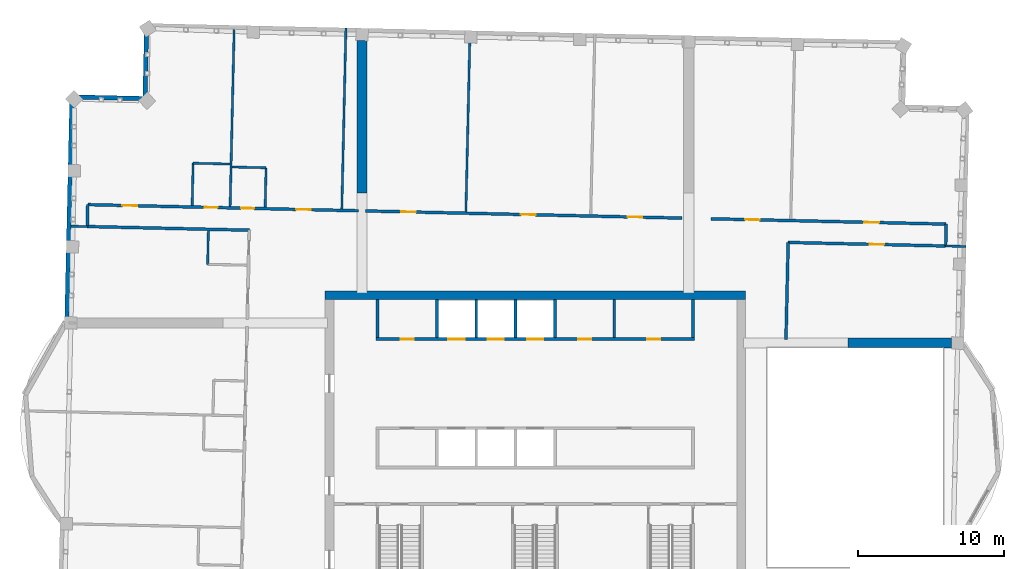
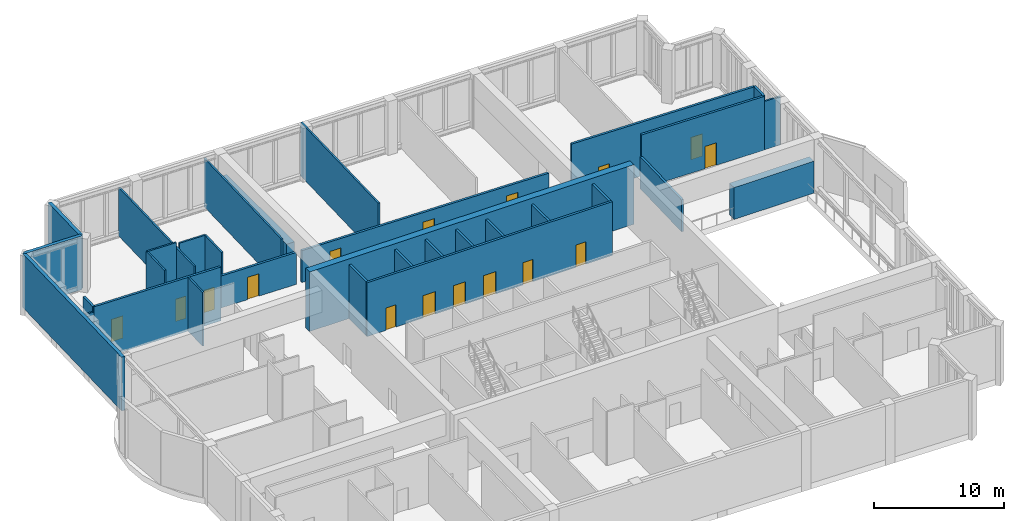
# One storey, part 12 of 16: 32 walls, 16 doors, 16 openings.
"""IFC4 building model written with IfcOpenShell, lengths in metres."""

from ifc_helpers import new_model, si_unit, direction, frame, frame_2d, origin, place, context, subcontext, project, spatial, rectangle, extrude, material, layer, layer_set, type_object, element, fill, save


model = new_model("IFC4")

# Units and contexts
model_context = context("Model", 3, precision=1e-05, world=origin(), true_north=direction((0.0, 1.0)))
body_context = subcontext(model_context, "Body", "Model", "MODEL_VIEW")
ifc_project = project(units=[si_unit("LENGTHUNIT", "METRE"), si_unit("AREAUNIT", "SQUARE_METRE"), si_unit("VOLUMEUNIT", "CUBIC_METRE"), si_unit("PLANEANGLEUNIT", "RADIAN"), si_unit("MASSUNIT", "GRAM", prefix="KILO")], contexts=[model_context])

# Site, building, storey
site_placement = place(None, origin())
site = spatial("IfcSite", under=ifc_project, at=site_placement, CompositionType="ELEMENT")
building_placement = place(site_placement, origin())
building = spatial("IfcBuilding", under=site, at=building_placement, Name="Mangrove Gate Tower", CompositionType="ELEMENT")
storey_placement = place(building_placement, frame((0.0, 0.0, 324.10009765625)))
storey = spatial("IfcBuildingStorey", under=building, at=storey_placement, Name="L83", CompositionType="ELEMENT", Elevation=324.10009765625)

# Walls
ifc_material_1 = material(Name="Concrete C32/40", Category="concrete")
ifc_layer_1 = layer(ifc_material_1, 0.199951171875)
ifc_layer_set_1 = layer_set([ifc_layer_1], Name="Core room wall 200 C32/40")
wall_type_1 = type_object("IfcWallType", Name="Core room wall 200 C32/40", PredefinedType="STANDARD", material=ifc_layer_set_1)
for number, where, z_axis, x_axis, name in (
    (1, (-10.800048828125, 8.199951171875, 0.0), (0.0, 0.0, 1.0), (0.0, 1.0, 0.0), "WALL-L83-CORE-25"),
    (2, (5.39990234375, 8.199951171875, 0.0), (0.0, 0.0, 1.0), (0.0, 1.0, 0.0), "WALL-L83-CORE-30"),
    (3, (10.800048828125, 8.199951171875, 0.0), (0.0, 0.0, 1.0), (0.0, 1.0, 0.0), "WALL-L83-CORE-31"),
):
    element("IfcWall", number, at=place(storey_placement, frame(where, z_axis=z_axis, x_axis=x_axis)), inside=storey, type_object=wall_type_1, Name=name, PredefinedType="STANDARD", context=body_context, shape_type="SweptSolid", body=[
        extrude(rectangle(XDim=2.60009765625, YDim=0.199951171875, at=frame_2d((1.300048828125, 0.0))), origin(), (0.0, 0.0, 1.0), 5.0498046875),
    ])

# Wall, openings, doors
ifc_material_2 = material(Name="Concrete C50/60", Category="concrete")
ifc_layer_2 = layer(ifc_material_2, 0.199951171875)
ifc_layer_set_2 = layer_set([ifc_layer_2], Name="Core shaft wall 200 C50/60")
wall_type_2 = type_object("IfcWallType", Name="Core shaft wall 200 C50/60", PredefinedType="SHEAR", material=ifc_layer_set_2)
wall_1_placement = place(storey_placement, frame((-10.89990234375, 8.10009765625, 0.0), z_axis=(0.0, 0.0, 1.0), x_axis=(1.0, 0.0, 0.0)))
wall_1 = element("IfcWall", 4, at=wall_1_placement, inside=storey, type_object=wall_type_2, Name="WALL-L83-CORE-8", PredefinedType="SHEAR", context=body_context, shape_type="SweptSolid", body=[
    extrude(rectangle(XDim=21.7998046875, YDim=0.199951171875, at=frame_2d((10.89990234375, 0.0))), origin(), (0.0, 0.0, 1.0), 5.0498046875),
])
opening_1_placement = place(wall_1_placement, frame((4.949951171875, 0.0, 0.0)))
opening_1 = element("IfcOpeningElement", 5, at=opening_1_placement, cuts=wall_1, Name="Opening LD", PredefinedType="OPENING", context=body_context, shape_type="SweptSolid", body=[
    extrude(rectangle(XDim=1.10009765625, YDim=2.10009765625, at=frame_2d((0.550048828125, 1.050048828125))), frame((0.0, 0.10986328125, 0.0), z_axis=(0.0, -1.0, 0.0), x_axis=(1.0, 0.0, 0.0)), (0.0, 0.0, 1.0), 0.219970703125),
])
opening_2_placement = place(wall_1_placement, frame((7.64990234375, 0.0, 0.0)))
opening_2 = element("IfcOpeningElement", 6, at=opening_2_placement, cuts=wall_1, Name="Opening LD", PredefinedType="OPENING", context=body_context, shape_type="SweptSolid", body=[
    extrude(rectangle(XDim=1.10009765625, YDim=2.10009765625, at=frame_2d((0.550048828125, 1.050048828125))), frame((0.0, 0.10986328125, 0.0), z_axis=(0.0, -1.0, 0.0), x_axis=(1.0, 0.0, 0.0)), (0.0, 0.0, 1.0), 0.219970703125),
])
opening_3_placement = place(wall_1_placement, frame((10.35009765625, 0.0, 0.0)))
opening_3 = element("IfcOpeningElement", 7, at=opening_3_placement, cuts=wall_1, Name="Opening LD", PredefinedType="OPENING", context=body_context, shape_type="SweptSolid", body=[
    extrude(rectangle(XDim=1.10009765625, YDim=2.10009765625, at=frame_2d((0.550048828125, 1.050048828125))), frame((0.0, 0.10986328125, 0.0), z_axis=(0.0, -1.0, 0.0), x_axis=(1.0, 0.0, 0.0)), (0.0, 0.0, 1.0), 0.219970703125),
])
opening_4_placement = place(wall_1_placement, frame((1.675048828125, 0.0, 0.0)))
opening_4 = element("IfcOpeningElement", 8, at=opening_4_placement, cuts=wall_1, Name="Opening KD", PredefinedType="OPENING", context=body_context, shape_type="SweptSolid", body=[
    extrude(rectangle(XDim=0.89990234375, YDim=2.10009765625, at=frame_2d((0.449951171875, 1.050048828125))), frame((0.0, 0.10986328125, 0.0), z_axis=(0.0, -1.0, 0.0), x_axis=(1.0, 0.0, 0.0)), (0.0, 0.0, 1.0), 0.219970703125),
])
opening_5_placement = place(wall_1_placement, frame((13.824951171875, 0.0, 0.0)))
opening_5 = element("IfcOpeningElement", 9, at=opening_5_placement, cuts=wall_1, Name="Opening KD", PredefinedType="OPENING", context=body_context, shape_type="SweptSolid", body=[
    extrude(rectangle(XDim=0.89990234375, YDim=2.10009765625, at=frame_2d((0.449951171875, 1.050048828125))), frame((0.0, 0.10986328125, 0.0), z_axis=(0.0, -1.0, 0.0), x_axis=(1.0, 0.0, 0.0)), (0.0, 0.0, 1.0), 0.219970703125),
])
opening_6_placement = place(wall_1_placement, frame((18.550048828125, 0.0, 0.0)))
opening_6 = element("IfcOpeningElement", 10, at=opening_6_placement, cuts=wall_1, Name="Opening RD", PredefinedType="OPENING", context=body_context, shape_type="SweptSolid", body=[
    extrude(rectangle(XDim=0.89990234375, YDim=2.10009765625, at=frame_2d((0.449951171875, 1.050048828125))), frame((0.0, 0.10986328125, 0.0), z_axis=(0.0, -1.0, 0.0), x_axis=(1.0, 0.0, 0.0)), (0.0, 0.0, 1.0), 0.219970703125),
])
ifc_material_3 = material(Name="Fire-rated steel door set", Category="steel")
door_type_1 = type_object("IfcDoorType", Name="Core room door FD30S 900x2100", OperationType="SINGLE_SWING_RIGHT", PredefinedType="DOOR", material=ifc_material_3)
door_1_placement = place(opening_4_placement, origin())
door_1 = element("IfcDoor", 11, at=door_1_placement, inside=storey, type_object=door_type_1, Name="Core room door Cleaner's store", OperationType="SINGLE_SWING_RIGHT", OverallHeight=2.10009765625, OverallWidth=0.89990234375, PredefinedType="DOOR", context=body_context, shape_type="SweptSolid", body=[
    extrude(rectangle(XDim=0.89990234375, YDim=2.10009765625, at=frame_2d((0.449951171875, 1.050048828125))), frame((0.0, 0.02490234375, 0.0), z_axis=(0.0, -1.0, 0.0), x_axis=(1.0, 0.0, 0.0)), (0.0, 0.0, 1.0), 0.050048828125),
])
fill(opening_4, door_1)
door_2_placement = place(opening_5_placement, origin())
door_2 = element("IfcDoor", 12, at=door_2_placement, inside=storey, type_object=door_type_1, Name="Core room door Refuse store", OperationType="SINGLE_SWING_RIGHT", OverallHeight=2.10009765625, OverallWidth=0.89990234375, PredefinedType="DOOR", context=body_context, shape_type="SweptSolid", body=[
    extrude(rectangle(XDim=0.89990234375, YDim=2.10009765625, at=frame_2d((0.449951171875, 1.050048828125))), frame((0.0, 0.02490234375, 0.0), z_axis=(0.0, -1.0, 0.0), x_axis=(1.0, 0.0, 0.0)), (0.0, 0.0, 1.0), 0.050048828125),
])
fill(opening_5, door_2)
ifc_material_4 = material(Name="Stainless steel 316", Category="steel")
door_type_2 = type_object("IfcDoorType", Name="Lift landing door 1100x2100", OperationType="SLIDING_TO_LEFT", PredefinedType="DOOR", material=ifc_material_4)
door_3_placement = place(opening_1_placement, origin())
door_3 = element("IfcDoor", 13, at=door_3_placement, inside=storey, type_object=door_type_2, Name="Landing door LD H04", OperationType="SLIDING_TO_LEFT", OverallHeight=2.10009765625, OverallWidth=1.10009765625, PredefinedType="DOOR", context=body_context, shape_type="SweptSolid", body=[
    extrude(rectangle(XDim=1.10009765625, YDim=2.10009765625, at=frame_2d((0.550048828125, 1.050048828125))), frame((0.0, 0.02490234375, 0.0), z_axis=(0.0, -1.0, 0.0), x_axis=(1.0, 0.0, 0.0)), (0.0, 0.0, 1.0), 0.050048828125),
])
fill(opening_1, door_3)
door_4_placement = place(opening_2_placement, origin())
door_4 = element("IfcDoor", 14, at=door_4_placement, inside=storey, type_object=door_type_2, Name="Landing door LD H05", OperationType="SLIDING_TO_LEFT", OverallHeight=2.10009765625, OverallWidth=1.10009765625, PredefinedType="DOOR", context=body_context, shape_type="SweptSolid", body=[
    extrude(rectangle(XDim=1.10009765625, YDim=2.10009765625, at=frame_2d((0.550048828125, 1.050048828125))), frame((0.0, 0.02490234375, 0.0), z_axis=(0.0, -1.0, 0.0), x_axis=(1.0, 0.0, 0.0)), (0.0, 0.0, 1.0), 0.050048828125),
])
fill(opening_2, door_4)
door_5_placement = place(opening_3_placement, origin())
door_5 = element("IfcDoor", 15, at=door_5_placement, inside=storey, type_object=door_type_2, Name="Landing door LD H06", OperationType="SLIDING_TO_LEFT", OverallHeight=2.10009765625, OverallWidth=1.10009765625, PredefinedType="DOOR", context=body_context, shape_type="SweptSolid", body=[
    extrude(rectangle(XDim=1.10009765625, YDim=2.10009765625, at=frame_2d((0.550048828125, 1.050048828125))), frame((0.0, 0.02490234375, 0.0), z_axis=(0.0, -1.0, 0.0), x_axis=(1.0, 0.0, 0.0)), (0.0, 0.0, 1.0), 0.050048828125),
])
fill(opening_3, door_5)
ifc_material_5 = material(Name="Fire-rated steel door set", Category="steel")
door_type_3 = type_object("IfcDoorType", Name="Riser door FD30S 900x2100", OperationType="SINGLE_SWING_LEFT", PredefinedType="DOOR", material=ifc_material_5)
door_6_placement = place(opening_6_placement, origin())
door_6 = element("IfcDoor", 16, at=door_6_placement, inside=storey, type_object=door_type_3, Name="Riser door Electrical room", OperationType="SINGLE_SWING_LEFT", OverallHeight=2.10009765625, OverallWidth=0.89990234375, PredefinedType="DOOR", context=body_context, shape_type="SweptSolid", body=[
    extrude(rectangle(XDim=0.89990234375, YDim=2.10009765625, at=frame_2d((0.449951171875, 1.050048828125))), frame((0.0, 0.02490234375, 0.0), z_axis=(0.0, -1.0, 0.0), x_axis=(1.0, 0.0, 0.0)), (0.0, 0.0, 1.0), 0.050048828125),
])
fill(opening_6, door_6)

# Walls
for number, where, z_axis, x_axis, name in (
    (17, (-6.75, 8.199951171875, 0.0), (0.0, 0.0, 1.0), (0.0, 1.0, 0.0), "WALL-L83-CORE-26"),
    (18, (-4.050048828125, 8.199951171875, 0.0), (0.0, 0.0, 1.0), (0.0, 1.0, 0.0), "WALL-L83-CORE-27"),
    (19, (-1.35009765625, 8.199951171875, 0.0), (0.0, 0.0, 1.0), (0.0, 1.0, 0.0), "WALL-L83-CORE-28"),
    (20, (1.35009765625, 8.199951171875, 0.0), (0.0, 0.0, 1.0), (0.0, 1.0, 0.0), "WALL-L83-CORE-29"),
):
    element("IfcWall", number, at=place(storey_placement, frame(where, z_axis=z_axis, x_axis=x_axis)), inside=storey, type_object=wall_type_2, Name=name, PredefinedType="SHEAR", context=body_context, shape_type="SweptSolid", body=[
        extrude(rectangle(XDim=2.60009765625, YDim=0.199951171875, at=frame_2d((1.300048828125, 0.0))), origin(), (0.0, 0.0, 1.0), 5.0498046875),
    ])
ifc_material_6 = material(Name="Concrete C50/60", Category="concrete")
ifc_layer_3 = layer(ifc_material_6, 0.60009765625)
ifc_layer_set_3 = layer_set([ifc_layer_3], Name="Core wall 600 C50/60")
wall_type_3 = type_object("IfcWallType", Name="Core wall 600 C50/60", PredefinedType="SHEAR", material=ifc_layer_set_3)
wall_2_placement = place(storey_placement, frame((-14.39990234375, 11.10009765625, 0.0), z_axis=(0.0, 0.0, 1.0), x_axis=(1.0, 0.0, 0.0)))
element("IfcWall", 21, at=wall_2_placement, inside=storey, type_object=wall_type_3, Name="WALL-L83-CORE-2", PredefinedType="SHEAR", context=body_context, shape_type="SweptSolid", body=[
    extrude(rectangle(XDim=28.7998046875, YDim=0.60009765625, at=frame_2d((14.39990234375, 0.0))), origin(), (0.0, 0.0, 1.0), 5.599853515625),
])
ifc_material_7 = material(Name="Gypsum board on steel stud, EI 60", Category="steel")
ifc_layer_4 = layer(ifc_material_7, 0.199951171875)
ifc_layer_set_4 = layer_set([ifc_layer_4], Name="Corridor wall EI 60")
wall_type_4 = type_object("IfcWallType", Name="Corridor wall EI 60", PredefinedType="PARTITIONING", material=ifc_layer_set_4)
wall_3_placement = place(storey_placement, frame((17.160888671875, 8.0810546875, 0.0), z_axis=(0.0, 0.0, 1.0), x_axis=(0.022596213667, 0.999744672968, 0.0)))
element("IfcWall", 22, at=wall_3_placement, inside=storey, type_object=wall_type_4, Name="WALL-L83-042", PredefinedType="PARTITIONING", context=body_context, shape_type="SweptSolid", body=[
    extrude(rectangle(XDim=6.644775390625, YDim=0.199951171875, at=frame_2d((3.322265625, 0.0))), origin(), (0.0, 0.0, 1.0), 3.0),
])
wall_4_placement = place(storey_placement, frame((-30.68603515625, 15.81396484375, 0.0), z_axis=(0.0, 0.0, 1.0), x_axis=(0.999742346277, -0.022698921993, 0.0)))
element("IfcWall", 23, at=wall_4_placement, inside=storey, type_object=wall_type_4, Name="WALL-L83-047", PredefinedType="PARTITIONING", context=body_context, shape_type="SweptSolid", body=[
    extrude(rectangle(XDim=11.099853515625, YDim=0.199951171875, at=frame_2d((5.5498046875, 0.0))), origin(), (0.0, 0.0, 1.0), 5.0498046875),
])
wall_5_placement = place(storey_placement, frame((-30.68603515625, 15.81396484375, 0.0), z_axis=(0.0, 0.0, 1.0), x_axis=(0.022632637625, 0.99974384905, 0.0)))
element("IfcWall", 24, at=wall_5_placement, inside=storey, type_object=wall_type_4, Name="WALL-L83-048", PredefinedType="PARTITIONING", context=body_context, shape_type="SweptSolid", body=[
    extrude(rectangle(XDim=1.49951171875, YDim=0.199951171875, at=frame_2d((0.749755859375, 0.0))), origin(), (0.0, 0.0, 1.0), 5.0498046875),
])

# Wall, opening, door
wall_6_placement = place(storey_placement, frame((17.305908203125, 14.72412109375, 0.0), z_axis=(0.0, 0.0, 1.0), x_axis=(0.999744269809, -0.022614043969, 0.0)))
wall_6 = element("IfcWall", 25, at=wall_6_placement, inside=storey, type_object=wall_type_4, Name="WALL-L83-049", PredefinedType="PARTITIONING", context=body_context, shape_type="SweptSolid", body=[
    extrude(rectangle(XDim=10.7958984375, YDim=0.199951171875, at=frame_2d((5.39794921875, 0.0))), origin(), (0.0, 0.0, 1.0), 5.0498046875),
])
opening_7_placement = place(wall_6_placement, frame((5.577880859375, 0.0, 0.0)))
opening_7 = element("IfcOpeningElement", 26, at=opening_7_placement, cuts=wall_6, Name="Opening AD", PredefinedType="OPENING", context=body_context, shape_type="SweptSolid", body=[
    extrude(rectangle(XDim=1.0, YDim=2.10009765625, at=frame_2d((0.5, 1.050048828125))), frame((0.0, 0.10986328125, 0.0), z_axis=(0.0, -1.0, 0.0), x_axis=(1.0, 0.0, 0.0)), (0.0, 0.0, 1.0), 0.219970703125),
])
ifc_material_8 = material(Name="Timber door leaf", Category="wood")
door_type_4 = type_object("IfcDoorType", Name="Amenity door 1000", OperationType="SINGLE_SWING_LEFT", PredefinedType="DOOR", material=ifc_material_8)
door_7_placement = place(opening_7_placement, origin())
door_7 = element("IfcDoor", 27, at=door_7_placement, inside=storey, type_object=door_type_4, Name="DOOR-L83-LNG-c3a", OperationType="SINGLE_SWING_LEFT", OverallHeight=2.10009765625, OverallWidth=1.0, PredefinedType="DOOR", context=body_context, shape_type="SweptSolid", body=[
    extrude(rectangle(XDim=1.0, YDim=2.10009765625, at=frame_2d((0.5, 1.050048828125))), frame((0.0, 0.02490234375, 0.0), z_axis=(0.0, -1.0, 0.0), x_axis=(1.0, 0.0, 0.0)), (0.0, 0.0, 1.0), 0.050048828125),
])
fill(opening_7, door_7)

# Wall
wall_7_placement = place(storey_placement, frame((28.09912109375, 14.47998046875, 0.0), z_axis=(0.0, 0.0, 1.0), x_axis=(0.022632637625, 0.99974384905, 0.0)))
element("IfcWall", 28, at=wall_7_placement, inside=storey, type_object=wall_type_4, Name="WALL-L83-051", PredefinedType="PARTITIONING", context=body_context, shape_type="SweptSolid", body=[
    extrude(rectangle(XDim=1.49951171875, YDim=0.199951171875, at=frame_2d((0.749755859375, 0.0))), origin(), (0.0, 0.0, 1.0), 5.0498046875),
])

# Wall, openings, doors
wall_8_placement = place(storey_placement, frame((-30.652099609375, 17.31298828125, 0.0), z_axis=(0.0, 0.0, 1.0), x_axis=(0.999742324741, -0.022699870507, 0.0)))
wall_8 = element("IfcWall", 29, at=wall_8_placement, inside=storey, type_object=wall_type_4, Name="WALL-L83-052", PredefinedType="PARTITIONING", context=body_context, shape_type="SweptSolid", body=[
    extrude(rectangle(XDim=18.5419921875, YDim=0.199951171875, at=frame_2d((9.27099609375, 0.0))), origin(), (0.0, 0.0, 1.0), 3.0),
])
opening_8_placement = place(wall_8_placement, frame((14.27490234375, 0.0, 0.0)))
opening_8 = element("IfcOpeningElement", 30, at=opening_8_placement, cuts=wall_8, Name="Opening AD", PredefinedType="OPENING", context=body_context, shape_type="SweptSolid", body=[
    extrude(rectangle(XDim=1.0, YDim=2.10009765625, at=frame_2d((0.5, 1.050048828125))), frame((0.0, 0.10986328125, 0.0), z_axis=(0.0, -1.0, 0.0), x_axis=(1.0, 0.0, 0.0)), (0.0, 0.0, 1.0), 0.219970703125),
])
opening_9_placement = place(wall_8_placement, frame((10.5, 0.0, 0.0)))
opening_9 = element("IfcOpeningElement", 31, at=opening_9_placement, cuts=wall_8, Name="Opening SD", PredefinedType="OPENING", context=body_context, shape_type="SweptSolid", body=[
    extrude(rectangle(XDim=0.89990234375, YDim=2.10009765625, at=frame_2d((0.449951171875, 1.050048828125))), frame((0.0, 0.10986328125, 0.0), z_axis=(0.0, -1.0, 0.0), x_axis=(1.0, 0.0, 0.0)), (0.0, 0.0, 1.0), 0.219970703125),
])
opening_10_placement = place(wall_8_placement, frame((2.375, 0.0, 0.0)))
opening_10 = element("IfcOpeningElement", 32, at=opening_10_placement, cuts=wall_8, Name="Opening AD", PredefinedType="OPENING", context=body_context, shape_type="SweptSolid", body=[
    extrude(rectangle(XDim=1.0, YDim=2.10009765625, at=frame_2d((0.5, 1.050048828125))), frame((0.0, 0.10986328125, 0.0), z_axis=(0.0, -1.0, 0.0), x_axis=(1.0, 0.0, 0.0)), (0.0, 0.0, 1.0), 0.219970703125),
])
opening_11_placement = place(wall_8_placement, frame((8.0, 0.0, 0.0)))
opening_11 = element("IfcOpeningElement", 33, at=opening_11_placement, cuts=wall_8, Name="Opening SD", PredefinedType="OPENING", context=body_context, shape_type="SweptSolid", body=[
    extrude(rectangle(XDim=0.89990234375, YDim=2.10009765625, at=frame_2d((0.449951171875, 1.050048828125))), frame((0.0, 0.10986328125, 0.0), z_axis=(0.0, -1.0, 0.0), x_axis=(1.0, 0.0, 0.0)), (0.0, 0.0, 1.0), 0.219970703125),
])
door_8_placement = place(opening_8_placement, origin())
door_8 = element("IfcDoor", 34, at=door_8_placement, inside=storey, type_object=door_type_4, Name="DOOR-L83-GAM-c4a", OperationType="SINGLE_SWING_LEFT", OverallHeight=2.10009765625, OverallWidth=1.0, PredefinedType="DOOR", context=body_context, shape_type="SweptSolid", body=[
    extrude(rectangle(XDim=1.0, YDim=2.10009765625, at=frame_2d((0.5, 1.050048828125))), frame((0.0, 0.02490234375, 0.0), z_axis=(0.0, -1.0, 0.0), x_axis=(1.0, 0.0, 0.0)), (0.0, 0.0, 1.0), 0.050048828125),
])
fill(opening_8, door_8)
door_9_placement = place(opening_10_placement, origin())
door_9 = element("IfcDoor", 35, at=door_9_placement, inside=storey, type_object=door_type_4, Name="DOOR-L83-KIT-c4a", OperationType="SINGLE_SWING_RIGHT", OverallHeight=2.10009765625, OverallWidth=1.0, PredefinedType="DOOR", context=body_context, shape_type="SweptSolid", body=[
    extrude(rectangle(XDim=1.0, YDim=2.10009765625, at=frame_2d((0.5, 1.050048828125))), frame((0.0, 0.02490234375, 0.0), z_axis=(0.0, -1.0, 0.0), x_axis=(1.0, 0.0, 0.0)), (0.0, 0.0, 1.0), 0.050048828125),
])
fill(opening_10, door_9)
ifc_material_9 = material(Name="Timber door leaf", Category="wood")
door_type_5 = type_object("IfcDoorType", Name="Service room door 900", OperationType="SINGLE_SWING_LEFT", PredefinedType="DOOR", material=ifc_material_9)
door_10_placement = place(opening_9_placement, origin())
door_10 = element("IfcDoor", 36, at=door_10_placement, inside=storey, type_object=door_type_5, Name="DOOR-L83-WC-c4a", OperationType="SINGLE_SWING_LEFT", OverallHeight=2.10009765625, OverallWidth=0.89990234375, PredefinedType="DOOR", context=body_context, shape_type="SweptSolid", body=[
    extrude(rectangle(XDim=0.89990234375, YDim=2.10009765625, at=frame_2d((0.449951171875, 1.050048828125))), frame((0.0, 0.02490234375, 0.0), z_axis=(0.0, -1.0, 0.0), x_axis=(1.0, 0.0, 0.0)), (0.0, 0.0, 1.0), 0.050048828125),
])
fill(opening_9, door_10)
door_11_placement = place(opening_11_placement, origin())
door_11 = element("IfcDoor", 37, at=door_11_placement, inside=storey, type_object=door_type_5, Name="DOOR-L83-AWC-c4a", OperationType="SINGLE_SWING_RIGHT", OverallHeight=2.10009765625, OverallWidth=0.89990234375, PredefinedType="DOOR", context=body_context, shape_type="SweptSolid", body=[
    extrude(rectangle(XDim=0.89990234375, YDim=2.10009765625, at=frame_2d((0.449951171875, 1.050048828125))), frame((0.0, 0.02490234375, 0.0), z_axis=(0.0, -1.0, 0.0), x_axis=(1.0, 0.0, 0.0)), (0.0, 0.0, 1.0), 0.050048828125),
])
fill(opening_11, door_11)

wall_9_placement = place(storey_placement, frame((-11.6220703125, 16.881103515625, 0.0), z_axis=(0.0, 0.0, 1.0), x_axis=(0.999743020793, -0.022669194404, 0.0)))
wall_9 = element("IfcWall", 38, at=wall_9_placement, inside=storey, type_object=wall_type_4, Name="WALL-L83-057", PredefinedType="PARTITIONING", context=body_context, shape_type="SweptSolid", body=[
    extrude(rectangle(XDim=21.668701171875, YDim=0.199951171875, at=frame_2d((10.83447265625, 0.0))), origin(), (0.0, 0.0, 1.0), 3.0),
])
opening_12_placement = place(wall_9_placement, frame((17.93701171875, 0.0, 0.0)))
opening_12 = element("IfcOpeningElement", 39, at=opening_12_placement, cuts=wall_9, Name="Opening AD", PredefinedType="OPENING", context=body_context, shape_type="SweptSolid", body=[
    extrude(rectangle(XDim=1.0, YDim=2.10009765625, at=frame_2d((0.5, 1.050048828125))), frame((0.0, 0.10986328125, 0.0), z_axis=(0.0, -1.0, 0.0), x_axis=(1.0, 0.0, 0.0)), (0.0, 0.0, 1.0), 0.219970703125),
])
opening_13_placement = place(wall_9_placement, frame((10.639892578125, 0.0, 0.0)))
opening_13 = element("IfcOpeningElement", 40, at=opening_13_placement, cuts=wall_9, Name="Opening AD", PredefinedType="OPENING", context=body_context, shape_type="SweptSolid", body=[
    extrude(rectangle(XDim=1.0, YDim=2.10009765625, at=frame_2d((0.5, 1.050048828125))), frame((0.0, 0.10986328125, 0.0), z_axis=(0.0, -1.0, 0.0), x_axis=(1.0, 0.0, 0.0)), (0.0, 0.0, 1.0), 0.219970703125),
])
opening_14_placement = place(wall_9_placement, frame((2.446044921875, 0.0, 0.0)))
opening_14 = element("IfcOpeningElement", 41, at=opening_14_placement, cuts=wall_9, Name="Opening AD", PredefinedType="OPENING", context=body_context, shape_type="SweptSolid", body=[
    extrude(rectangle(XDim=1.0, YDim=2.10009765625, at=frame_2d((0.5, 1.050048828125))), frame((0.0, 0.10986328125, 0.0), z_axis=(0.0, -1.0, 0.0), x_axis=(1.0, 0.0, 0.0)), (0.0, 0.0, 1.0), 0.219970703125),
])
door_12_placement = place(opening_12_placement, origin())
door_12 = element("IfcDoor", 42, at=door_12_placement, inside=storey, type_object=door_type_4, Name="DOOR-L83-KIT-c3b", OperationType="SINGLE_SWING_RIGHT", OverallHeight=2.10009765625, OverallWidth=1.0, PredefinedType="DOOR", context=body_context, shape_type="SweptSolid", body=[
    extrude(rectangle(XDim=1.0, YDim=2.10009765625, at=frame_2d((0.5, 1.050048828125))), frame((0.0, 0.02490234375, 0.0), z_axis=(0.0, -1.0, 0.0), x_axis=(1.0, 0.0, 0.0)), (0.0, 0.0, 1.0), 0.050048828125),
])
fill(opening_12, door_12)
door_13_placement = place(opening_13_placement, origin())
door_13 = element("IfcDoor", 43, at=door_13_placement, inside=storey, type_object=door_type_4, Name="DOOR-L83-LNG-c4a", OperationType="SINGLE_SWING_LEFT", OverallHeight=2.10009765625, OverallWidth=1.0, PredefinedType="DOOR", context=body_context, shape_type="SweptSolid", body=[
    extrude(rectangle(XDim=1.0, YDim=2.10009765625, at=frame_2d((0.5, 1.050048828125))), frame((0.0, 0.02490234375, 0.0), z_axis=(0.0, -1.0, 0.0), x_axis=(1.0, 0.0, 0.0)), (0.0, 0.0, 1.0), 0.050048828125),
])
fill(opening_13, door_13)
door_14_placement = place(opening_14_placement, origin())
door_14 = element("IfcDoor", 44, at=door_14_placement, inside=storey, type_object=door_type_4, Name="DOOR-L83-LNG-c4b", OperationType="SINGLE_SWING_RIGHT", OverallHeight=2.10009765625, OverallWidth=1.0, PredefinedType="DOOR", context=body_context, shape_type="SweptSolid", body=[
    extrude(rectangle(XDim=1.0, YDim=2.10009765625, at=frame_2d((0.5, 1.050048828125))), frame((0.0, 0.02490234375, 0.0), z_axis=(0.0, -1.0, 0.0), x_axis=(1.0, 0.0, 0.0)), (0.0, 0.0, 1.0), 0.050048828125),
])
fill(opening_14, door_14)

wall_10_placement = place(storey_placement, frame((12.032958984375, 16.343994140625, 0.0), z_axis=(0.0, 0.0, 1.0), x_axis=(0.999743133118, -0.022664240197, 0.0)))
wall_10 = element("IfcWall", 45, at=wall_10_placement, inside=storey, type_object=wall_type_4, Name="WALL-L83-060", PredefinedType="PARTITIONING", context=body_context, shape_type="SweptSolid", body=[
    extrude(rectangle(XDim=16.104248046875, YDim=0.199951171875, at=frame_2d((8.05224609375, 0.0))), origin(), (0.0, 0.0, 1.0), 5.0498046875),
])
opening_15_placement = place(wall_10_placement, frame((10.508056640625, 0.0, 0.0)))
opening_15 = element("IfcOpeningElement", 46, at=opening_15_placement, cuts=wall_10, Name="Opening AD", PredefinedType="OPENING", context=body_context, shape_type="SweptSolid", body=[
    extrude(rectangle(XDim=1.0, YDim=2.10009765625, at=frame_2d((0.5, 1.050048828125))), frame((0.0, 0.10986328125, 0.0), z_axis=(0.0, -1.0, 0.0), x_axis=(1.0, 0.0, 0.0)), (0.0, 0.0, 1.0), 0.219970703125),
])
opening_16_placement = place(wall_10_placement, frame((2.3291015625, 0.0, 0.0)))
opening_16 = element("IfcOpeningElement", 47, at=opening_16_placement, cuts=wall_10, Name="Opening AD", PredefinedType="OPENING", context=body_context, shape_type="SweptSolid", body=[
    extrude(rectangle(XDim=1.0, YDim=2.10009765625, at=frame_2d((0.5, 1.050048828125))), frame((0.0, 0.10986328125, 0.0), z_axis=(0.0, -1.0, 0.0), x_axis=(1.0, 0.0, 0.0)), (0.0, 0.0, 1.0), 0.219970703125),
])
door_15_placement = place(opening_15_placement, origin())
door_15 = element("IfcDoor", 48, at=door_15_placement, inside=storey, type_object=door_type_4, Name="DOOR-L83-GAM-c3a", OperationType="SINGLE_SWING_RIGHT", OverallHeight=2.10009765625, OverallWidth=1.0, PredefinedType="DOOR", context=body_context, shape_type="SweptSolid", body=[
    extrude(rectangle(XDim=1.0, YDim=2.10009765625, at=frame_2d((0.5, 1.050048828125))), frame((0.0, 0.02490234375, 0.0), z_axis=(0.0, -1.0, 0.0), x_axis=(1.0, 0.0, 0.0)), (0.0, 0.0, 1.0), 0.050048828125),
])
fill(opening_15, door_15)
door_16_placement = place(opening_16_placement, origin())
door_16 = element("IfcDoor", 49, at=door_16_placement, inside=storey, type_object=door_type_4, Name="DOOR-L83-GAM-c3b", OperationType="SINGLE_SWING_LEFT", OverallHeight=2.10009765625, OverallWidth=1.0, PredefinedType="DOOR", context=body_context, shape_type="SweptSolid", body=[
    extrude(rectangle(XDim=1.0, YDim=2.10009765625, at=frame_2d((0.5, 1.050048828125))), frame((0.0, 0.02490234375, 0.0), z_axis=(0.0, -1.0, 0.0), x_axis=(1.0, 0.0, 0.0)), (0.0, 0.0, 1.0), 0.050048828125),
])
fill(opening_16, door_16)

# Walls
ifc_material_10 = material(Name="Limestone", Category="masonry")
ifc_layer_5 = layer(ifc_material_10, 0.0400390625, Name="Limestone cladding")
ifc_material_11 = material(Name="Ventilated air gap")
ifc_layer_6 = layer(ifc_material_11, 0.0400390625, Name="Ventilated cavity")
ifc_material_12 = material(Name="Mineral wool insulation")
ifc_layer_7 = layer(ifc_material_12, 0.06005859375, Name="Insulation")
ifc_material_13 = material(Name="Breather membrane")
ifc_layer_8 = layer(ifc_material_13, 0.001953125, Name="Breather membrane")
ifc_material_14 = material(Name="Concrete C20/25 blockwork", Category="masonry")
ifc_layer_9 = layer(ifc_material_14, 0.14990234375, Name="Blockwork backing wall")
ifc_material_15 = material(Name="Gypsum plaster")
ifc_layer_10 = layer(ifc_material_15, 0.008056640625, Name="Internal plaster")
ifc_layer_set_5 = layer_set([ifc_layer_5, ifc_layer_6, ifc_layer_7, ifc_layer_8, ifc_layer_9, ifc_layer_10], Name="External wall 300 limestone cladding")
wall_type_5 = type_object("IfcWallType", Name="External wall 300 limestone cladding", PredefinedType="SOLIDWALL", material=ifc_layer_set_5)
for number, where, z_axis, x_axis, name in (
    (50, (-26.623046875, 29.574951171875, 0.0), (0.0, 0.0, 1.0), (-0.022606059803, -0.999744450377, 0.0), "WALL-L83-W6"),
    (51, (-26.736083984375, 24.575927734375, 0.0), (0.0, 0.0, 1.0), (-0.999740017489, 0.022801259434, 0.0), "WALL-L83-N7"),
):
    element("IfcWall", number, at=place(storey_placement, frame(where, z_axis=z_axis, x_axis=x_axis)), inside=storey, type_object=wall_type_5, Name=name, PredefinedType="SOLIDWALL", context=body_context, shape_type="SweptSolid", body=[
        extrude(rectangle(XDim=5.000244140625, YDim=0.300048828125, at=frame_2d((2.5, 0.0))), origin(), (0.0, 0.0, 1.0), 5.0498046875),
    ])
wall_11_placement = place(storey_placement, frame((-31.735107421875, 24.68994140625, 0.0), z_axis=(0.0, 0.0, 1.0), x_axis=(-0.022694199758, -0.999742453484, 0.0)))
element("IfcWall", 52, at=wall_11_placement, inside=storey, type_object=wall_type_5, Name="WALL-L83-W8s1", PredefinedType="SOLIDWALL", context=body_context, shape_type="SweptSolid", body=[
    extrude(rectangle(XDim=15.900146484375, YDim=0.300048828125, at=frame_2d((7.9501953125, 0.0))), origin(), (0.0, 0.0, 1.0), 5.0498046875),
])
ifc_material_16 = material(Name="Concrete C50/60", Category="concrete")
ifc_layer_11 = layer(ifc_material_16, 0.699951171875)
ifc_layer_set_6 = layer_set([ifc_layer_11], Name="Outrigger wall 700 C50/60")
wall_type_6 = type_object("IfcWallType", Name="Outrigger wall 700 C50/60", PredefinedType="SHEAR", material=ifc_layer_set_6)
wall_12_placement = place(storey_placement, frame((21.39990234375, 7.834716796875, 0.0), z_axis=(0.0, 0.0, 1.0), x_axis=(1.0, 0.0, 0.0)))
element("IfcWall", 53, at=wall_12_placement, inside=storey, type_object=wall_type_6, Name="Outrigger wall L83 OR1 pier", PredefinedType="SHEAR", context=body_context, shape_type="SweptSolid", body=[
    extrude(rectangle(XDim=7.09814453125, YDim=0.699951171875, at=frame_2d((3.549072265625, 0.0))), origin(), (0.0, 0.0, 1.0), 3.0),
])
wall_13_placement = place(storey_placement, frame((-11.86865234375, 18.10009765625, 0.0), z_axis=(0.0, 0.0, 1.0), x_axis=(0.0, 1.0, 0.0)))
element("IfcWall", 54, at=wall_13_placement, inside=storey, type_object=wall_type_6, Name="Outrigger wall L83 OR7 pier", PredefinedType="SHEAR", context=body_context, shape_type="SweptSolid", body=[
    extrude(rectangle(XDim=10.43994140625, YDim=0.699951171875, at=frame_2d((5.219970703125, 0.0))), origin(), (0.0, 0.0, 1.0), 3.0),
])
ifc_material_17 = material(Name="Gypsum board on steel stud, EI 60", Category="steel")
ifc_layer_12 = layer(ifc_material_17, 0.14990234375)
ifc_layer_set_7 = layer_set([ifc_layer_12], Name="Party wall 150 EI 60")
wall_type_7 = type_object("IfcWallType", Name="Party wall 150 EI 60", PredefinedType="PARTITIONING", material=ifc_layer_set_7)
wall_14_placement = place(storey_placement, frame((-22.443115234375, 13.22607421875, 0.0), z_axis=(0.0, 0.0, 1.0), x_axis=(0.022615284993, 0.999744241736, 0.0)))
element("IfcWall", 55, at=wall_14_placement, inside=storey, type_object=wall_type_7, Name="WALL-L83-045", PredefinedType="PARTITIONING", context=body_context, shape_type="SweptSolid", body=[
    extrude(rectangle(XDim=2.29931640625, YDim=0.14990234375, at=frame_2d((1.149658203125, 0.0))), origin(), (0.0, 0.0, 1.0), 5.0498046875),
])
wall_15_placement = place(storey_placement, frame((-31.785888671875, 15.837890625, 0.0), z_axis=(0.0, 0.0, 1.0), x_axis=(0.999745701647, -0.022550654924, 0.0)))
element("IfcWall", 56, at=wall_15_placement, inside=storey, type_object=wall_type_7, Name="WALL-L83-046", PredefinedType="PARTITIONING", context=body_context, shape_type="SweptSolid", body=[
    extrude(rectangle(XDim=1.104248046875, YDim=0.14990234375, at=frame_2d((0.55224609375, 0.0))), origin(), (0.0, 0.0, 1.0), 4.5498046875),
])
wall_16_placement = place(storey_placement, frame((28.09912109375, 14.47998046875, 0.0), z_axis=(0.0, 0.0, 1.0), x_axis=(0.999738763928, -0.022856156732, 0.0)))
element("IfcWall", 57, at=wall_16_placement, inside=storey, type_object=wall_type_7, Name="WALL-L83-050", PredefinedType="PARTITIONING", context=body_context, shape_type="SweptSolid", body=[
    extrude(rectangle(XDim=1.399169921875, YDim=0.14990234375, at=frame_2d((0.69970703125, 0.0))), origin(), (0.0, 0.0, 1.0), 4.5498046875),
])
wall_17_placement = place(storey_placement, frame((-23.501953125, 17.2509765625, 0.0), z_axis=(0.0, 0.0, 1.0), x_axis=(0.022732880677, 0.999741574676, 0.0)))
element("IfcWall", 58, at=wall_17_placement, inside=storey, type_object=wall_type_7, Name="WALL-L83-053", PredefinedType="PARTITIONING", context=body_context, shape_type="SweptSolid", body=[
    extrude(rectangle(XDim=2.899658203125, YDim=0.14990234375, at=frame_2d((1.44970703125, 0.0))), origin(), (0.0, 0.0, 1.0), 5.0498046875),
])
wall_18_placement = place(storey_placement, frame((-20.902099609375, 17.19189453125, 0.0), z_axis=(0.0, 0.0, 1.0), x_axis=(0.022658157282, 0.999743270999, 0.0)))
element("IfcWall", 59, at=wall_18_placement, inside=storey, type_object=wall_type_7, Name="WALL-L83-054", PredefinedType="PARTITIONING", context=body_context, shape_type="SweptSolid", body=[
    extrude(rectangle(XDim=12.100341796875, YDim=0.14990234375, at=frame_2d((6.05029296875, 0.0))), origin(), (0.0, 0.0, 1.0), 4.5498046875),
])
wall_19_placement = place(storey_placement, frame((-18.5029296875, 17.136962890625, 0.0), z_axis=(0.0, 0.0, 1.0), x_axis=(0.022600248254, 0.99974458177, 0.0)))
element("IfcWall", 60, at=wall_19_placement, inside=storey, type_object=wall_type_7, Name="WALL-L83-055", PredefinedType="PARTITIONING", context=body_context, shape_type="SweptSolid", body=[
    extrude(rectangle(XDim=2.70068359375, YDim=0.14990234375, at=frame_2d((1.350341796875, 0.0))), origin(), (0.0, 0.0, 1.0), 5.0498046875),
])
wall_20_placement = place(storey_placement, frame((-13.25390625, 17.01806640625, 0.0), z_axis=(0.0, 0.0, 1.0), x_axis=(0.022661475803, 0.999743195783, 0.0)))
element("IfcWall", 61, at=wall_20_placement, inside=storey, type_object=wall_type_7, Name="WALL-L83-056", PredefinedType="PARTITIONING", context=body_context, shape_type="SweptSolid", body=[
    extrude(rectangle(XDim=12.400146484375, YDim=0.14990234375, at=frame_2d((6.2001953125, 0.0))), origin(), (0.0, 0.0, 1.0), 4.5498046875),
])
wall_21_placement = place(storey_placement, frame((-4.757080078125, 16.825927734375, 0.0), z_axis=(0.0, 0.0, 1.0), x_axis=(0.022741979748, 0.999741367733, 0.0)))
element("IfcWall", 62, at=wall_21_placement, inside=storey, type_object=wall_type_7, Name="WALL-L83-058", PredefinedType="PARTITIONING", context=body_context, shape_type="SweptSolid", body=[
    extrude(rectangle(XDim=12.399169921875, YDim=0.14990234375, at=frame_2d((6.19970703125, 0.0))), origin(), (0.0, 0.0, 1.0), 5.0498046875),
])
wall_22_placement = place(storey_placement, frame((-20.76611328125, 19.889892578125, 0.0), z_axis=(0.0, 0.0, 1.0), x_axis=(0.99974031529, -0.022788198363, 0.0)))
element("IfcWall", 63, at=wall_22_placement, inside=storey, type_object=wall_type_7, Name="WALL-L83-062", PredefinedType="PARTITIONING", context=body_context, shape_type="SweptSolid", body=[
    extrude(rectangle(XDim=2.32470703125, YDim=0.14990234375, at=frame_2d((1.162353515625, 0.0))), origin(), (0.0, 0.0, 1.0), 5.0498046875),
])
wall_23_placement = place(storey_placement, frame((-23.43603515625, 20.14990234375, 0.0), z_axis=(0.0, 0.0, 1.0), x_axis=(0.9997461113, -0.022532486354, 0.0)))
element("IfcWall", 64, at=wall_23_placement, inside=storey, type_object=wall_type_7, Name="WALL-L83-063", PredefinedType="PARTITIONING", context=body_context, shape_type="SweptSolid", body=[
    extrude(rectangle(XDim=2.524658203125, YDim=0.14990234375, at=frame_2d((1.26220703125, 0.0))), origin(), (0.0, 0.0, 1.0), 5.0498046875),
])

save(model, "model.ifc")
